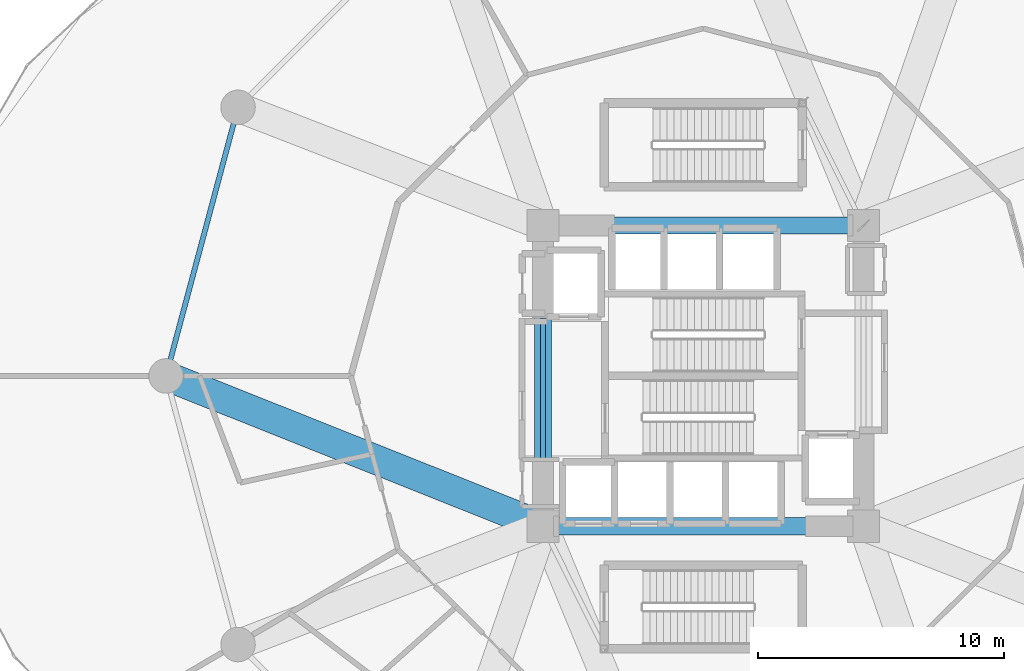
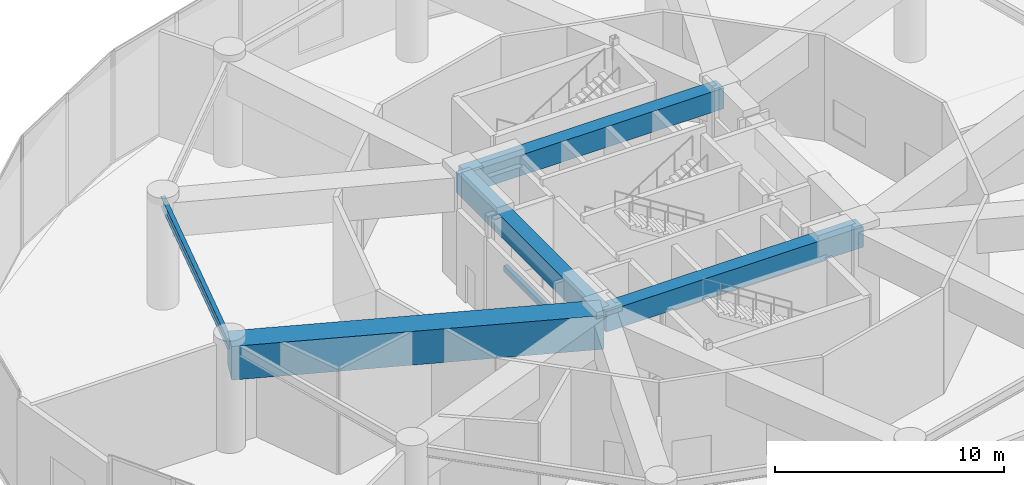
# One storey, part 8 of 28: 6 beams.
"""IFC4 building model written with IfcOpenShell, lengths in metres."""

from ifc_helpers import new_model, si_unit, direction, frame, origin, origin_2d, place, context, subcontext, project, spatial, rectangle, i_section, extrude, material, material_profile, profile_set, type_object, element, save


model = new_model("IFC4")

# Units and contexts
model_context = context("Model", 3, precision=1e-05, world=origin(), true_north=direction((0.0, 1.0)))
body_context = subcontext(model_context, "Body", "Model", "MODEL_VIEW")
ifc_project = project(units=[si_unit("LENGTHUNIT", "METRE"), si_unit("AREAUNIT", "SQUARE_METRE"), si_unit("VOLUMEUNIT", "CUBIC_METRE"), si_unit("PLANEANGLEUNIT", "RADIAN"), si_unit("MASSUNIT", "GRAM", prefix="KILO")], contexts=[model_context])

# Site, building, storey
site_placement = place(None, origin())
site = spatial("IfcSite", under=ifc_project, at=site_placement, CompositionType="ELEMENT")
building_placement = place(site_placement, origin())
building = spatial("IfcBuilding", under=site, at=building_placement, Name="Solvirekh Grand Hotel", CompositionType="ELEMENT")
storey_placement = place(building_placement, frame((0.0, 0.0, 12.60009765625)))
storey = spatial("IfcBuildingStorey", under=building, at=storey_placement, Name="L02", CompositionType="ELEMENT", Elevation=12.60009765625)

# Beams
ifc_material_1 = material(Name="Concrete C60/75", Category="concrete")
ifc_material_profile_1 = material_profile(ifc_material_1, rectangle(XDim=0.699951171875, YDim=1.10009765625, at=origin_2d()), Name="RC BEAM 700X1100")
ifc_profile_set_1 = profile_set([ifc_material_profile_1], Name="Concrete C60/75")
beam_type_1 = type_object("IfcBeamType", Name="Beam_Core_RC1100", PredefinedType="BEAM", material=ifc_profile_set_1)
for number, where, z_axis, x_axis, name in (
    (1, (-6.5, -6.10009765625, 5.08984375), (1.0, 0.0, 0.0), (0.0, 1.0, 0.0), "L02 core coupling ring beam 1"),
    (2, (6.5, 6.10009765625, 5.08984375), (-1.0, 0.0, 0.0), (0.0, -1.0, 0.0), "L02 core coupling ring beam 3"),
):
    element("IfcBeam", number, at=place(storey_placement, frame(where, z_axis=z_axis, x_axis=x_axis)), inside=storey, type_object=beam_type_1, Name=name, PredefinedType="BEAM", context=body_context, shape_type="SweptSolid", body=[
        extrude(rectangle(XDim=0.699951171875, YDim=1.10009765625, at=origin_2d()), origin(), (0.0, 0.0, 1.0), 13.0),
    ])
beam_1_placement = place(storey_placement, frame((-6.5, 6.10009765625, 5.08984375), z_axis=(0.0, -1.0, 0.0), x_axis=(1.0, 0.0, 0.0)))
element("IfcBeam", 3, at=beam_1_placement, inside=storey, type_object=beam_type_1, Name="L02 core coupling ring beam 4", PredefinedType="BEAM", context=body_context, shape_type="SweptSolid", body=[
    extrude(rectangle(XDim=0.699951171875, YDim=1.10009765625, at=origin_2d()), origin(), (0.0, 0.0, 1.0), 12.2001953125),
])
ifc_material_2 = material(Name="Precast concrete C45/55", Category="concrete")
ifc_material_profile_2 = material_profile(ifc_material_2, rectangle(XDim=0.199951171875, YDim=0.320068359375, at=origin_2d()), Name="RC LINTEL 200X320")
ifc_profile_set_2 = profile_set([ifc_material_profile_2], Name="Precast concrete C45/55")
beam_type_2 = type_object("IfcBeamType", Name="Lintel_RC320", PredefinedType="LINTEL", material=ifc_profile_set_2)
beam_2_placement = place(storey_placement, frame((-6.5, -3.35009765625, 2.64990234375), z_axis=(0.0, 1.0, 0.0), x_axis=(-1.0, 0.0, 0.0)))
element("IfcBeam", 4, at=beam_2_placement, inside=storey, type_object=beam_type_2, Name="L02 west core lobby RC lintel", PredefinedType="LINTEL", context=body_context, shape_type="SweptSolid", body=[
    extrude(rectangle(XDim=0.199951171875, YDim=0.320068359375, at=origin_2d()), origin(), (0.0, 0.0, 1.0), 5.7001953125),
])
ifc_material_3 = material(Name="Steel S355", Category="steel")
ifc_material_profile_3 = material_profile(ifc_material_3, i_section(OverallWidth=0.208984375, OverallDepth=0.532958984375, WebThickness=0.010009765625, FlangeThickness=0.014892578125, FilletRadius=0.013916015625, at=origin_2d()), Name="W530X92")
ifc_profile_set_3 = profile_set([ifc_material_profile_3], Name="Steel S355")
beam_type_3 = type_object("IfcBeamType", Name="Spandrel_Ring_W530", PredefinedType="SPANDREL", material=ifc_profile_set_3)
beam_3_placement = place(storey_placement, frame((-18.87890625, 10.89990234375, 5.372802734375), z_axis=(-0.258862249378, -0.965914248703, 0.0), x_axis=(0.965914248703, -0.258862249378, 0.0)))
element("IfcBeam", 5, at=beam_3_placement, inside=storey, type_object=beam_type_3, Name="L02 perimeter spandrel beam 6", PredefinedType="SPANDREL", context=body_context, shape_type="SweptSolid", body=[
    extrude(i_section(OverallWidth=0.208984375, OverallDepth=0.532958984375, WebThickness=0.010009765625, FlangeThickness=0.014892578125, FilletRadius=0.013916015625, at=origin_2d()), origin(), (0.0, 0.0, 1.0), 11.284423828125),
])
ifc_material_profile_4 = material_profile(ifc_material_1, rectangle(XDim=1.199951171875, YDim=1.800048828125, at=origin_2d()), Name="RC GIRDER 1200X1800")
ifc_profile_set_4 = profile_set([ifc_material_profile_4], Name="Concrete C60/75")
beam_type_4 = type_object("IfcBeamType", Name="TransferGirder_RC1800", PredefinedType="USERDEFINED", material=ifc_profile_set_4)
beam_4_placement = place(storey_placement, frame((-6.5, -6.10009765625, 4.739990234375), z_axis=(-0.9288931718, 0.370347776263, 0.0), x_axis=(-0.370347776263, -0.9288931718, 0.0)))
element("IfcBeam", 6, at=beam_4_placement, inside=storey, type_object=beam_type_4, Name="L02 radial transfer girder 7", ObjectType="TRANSFER GIRDER", PredefinedType="USERDEFINED", context=body_context, shape_type="SweptSolid", body=[
    extrude(rectangle(XDim=1.199951171875, YDim=1.800048828125, at=origin_2d()), origin(), (0.0, 0.0, 1.0), 16.47119140625),
])

save(model, "model.ifc")
